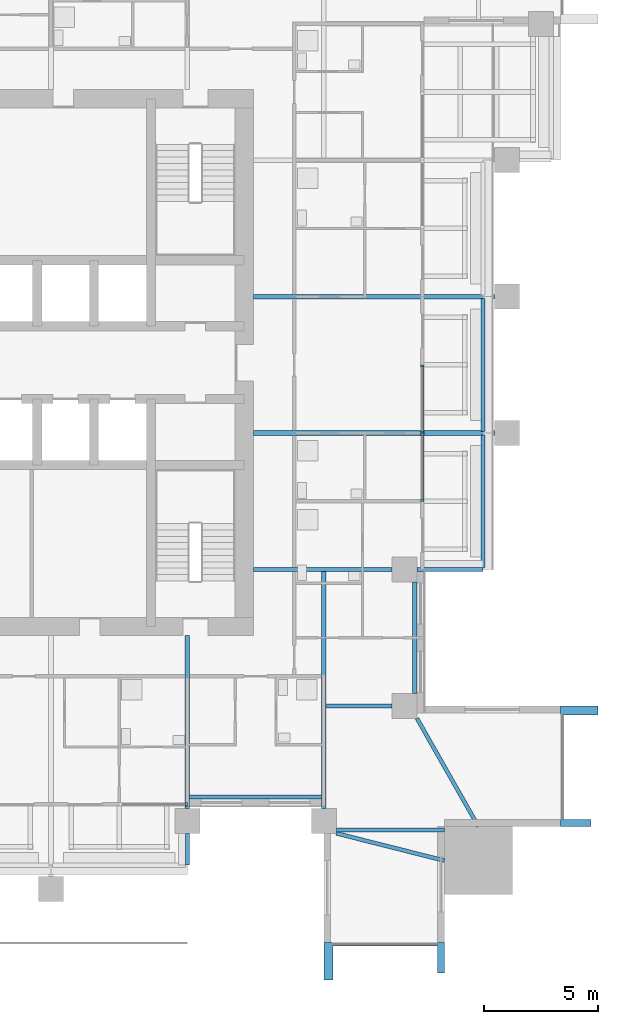
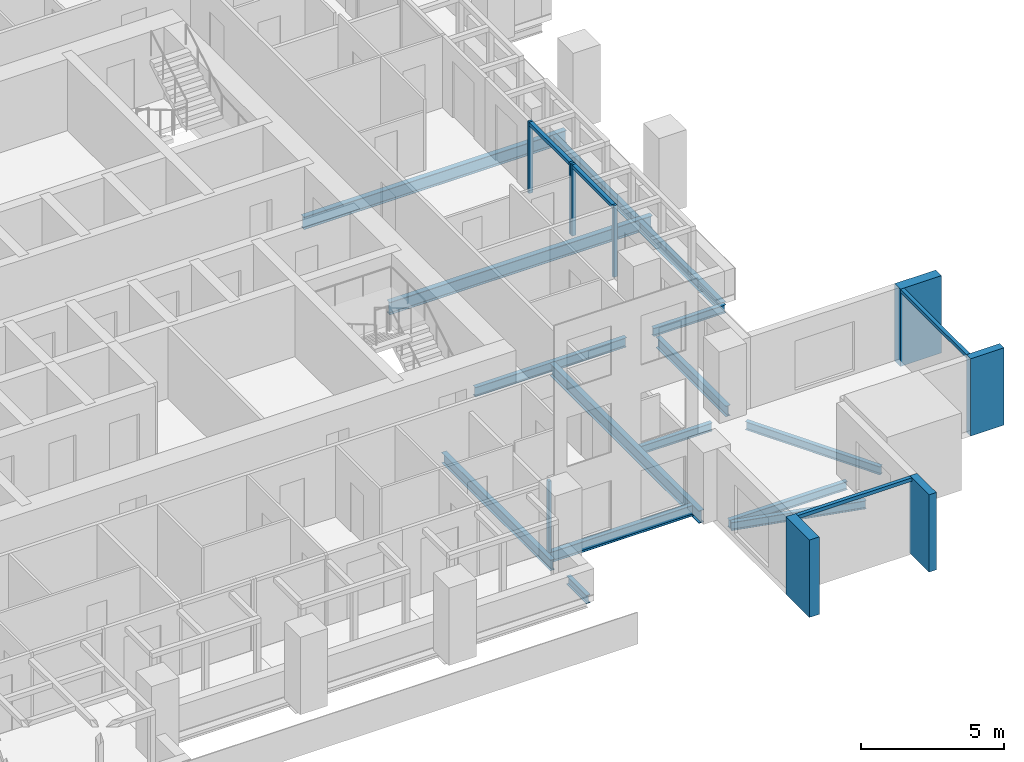
# One storey, part 3 of 16: 15 beams, 13 members, 5 elements without a shape of their own.
"""IFC4 building model written with IfcOpenShell, lengths in metres."""

from ifc_helpers import new_model, si_unit, direction, frame, origin, origin_2d, place, context, subcontext, project, spatial, rectangle, i_section, extrude, material, material_profile, profile_set, type_object, element, aggregate, save


model = new_model("IFC4")

# Units and contexts
model_context = context("Model", 3, precision=1e-05, world=origin(), true_north=direction((0.0, 1.0)))
body_context = subcontext(model_context, "Body", "Model", "MODEL_VIEW")
ifc_project = project(units=[si_unit("LENGTHUNIT", "METRE"), si_unit("AREAUNIT", "SQUARE_METRE"), si_unit("VOLUMEUNIT", "CUBIC_METRE"), si_unit("PLANEANGLEUNIT", "RADIAN"), si_unit("MASSUNIT", "GRAM", prefix="KILO")], contexts=[model_context])

# Site, building, storey
site_placement = place(None, origin())
site = spatial("IfcSite", under=ifc_project, at=site_placement, CompositionType="ELEMENT")
building_placement = place(site_placement, origin())
building = spatial("IfcBuilding", under=site, at=building_placement, Name="Amberfall Residences", CompositionType="ELEMENT")
storey_placement = place(building_placement, frame((0.0, 0.0, 108.39990234375)))
storey = spatial("IfcBuildingStorey", under=building, at=storey_placement, Name="L29", CompositionType="ELEMENT", Elevation=108.39990234375)

# Curtain wall, member
ifc_material_1 = material(Name="Bronze anodised aluminium and glass", Category="aluminium")
curtain_wall_type_1 = type_object("IfcCurtainWallType", Name="Curtain wall CW1 tower unit", PredefinedType="USERDEFINED", material=ifc_material_1)
curtain_wall_1_placement = place(storey_placement, origin())
curtain_wall_1 = element("IfcCurtainWall", 1, at=curtain_wall_1_placement, inside=storey, type_object=curtain_wall_type_1, Name="Curtain wall L29 S S9", ObjectType="UNITISED CURTAIN WALL", PredefinedType="USERDEFINED")
ifc_material_2 = material(Name="Bronze anodised aluminium", Category="aluminium")
ifc_material_profile_1 = material_profile(ifc_material_2, rectangle(XDim=0.14990234375, YDim=0.14990234375, at=origin_2d()), Name="CW1 transom 150 x 150 bronze")
ifc_profile_set_1 = profile_set([ifc_material_profile_1], Name="Bronze anodised aluminium")
member_type_1 = type_object("IfcMemberType", Name="CW1 transom 150 x 150 bronze", PredefinedType="USERDEFINED", material=ifc_profile_set_1)
member_1_placement = place(storey_placement, frame((90.0, 19.925048828125, 2.97509765625), z_axis=(1.0, 0.0, 0.0), x_axis=(0.0, 1.0, 0.0)))
member_1 = element("IfcMember", 2, at=member_1_placement, type_object=member_type_1, Name="CW1 transom 1.1", ObjectType="TRANSOM", PredefinedType="USERDEFINED", context=body_context, shape_type="SweptSolid", body=[
    extrude(rectangle(XDim=0.14990234375, YDim=0.14990234375, at=origin_2d()), origin(), (0.0, 0.0, 1.0), 4.60009765625),
])

curtain_wall_2_placement = place(storey_placement, origin())
curtain_wall_2 = element("IfcCurtainWall", 3, at=curtain_wall_2_placement, inside=storey, type_object=curtain_wall_type_1, Name="Curtain wall L29 E E1", ObjectType="UNITISED CURTAIN WALL", PredefinedType="USERDEFINED")
member_2_placement = place(storey_placement, frame((100.074951171875, 25.39990234375, 2.97509765625), z_axis=(0.0, 1.0, 0.0), x_axis=(-1.0, 0.0, 0.0)))
member_2 = element("IfcMember", 4, at=member_2_placement, type_object=member_type_1, Name="CW1 transom 1.1", ObjectType="TRANSOM", PredefinedType="USERDEFINED", context=body_context, shape_type="SweptSolid", body=[
    extrude(rectangle(XDim=0.14990234375, YDim=0.14990234375, at=origin_2d()), origin(), (0.0, 0.0, 1.0), 4.60009765625),
])

curtain_wall_type_2 = type_object("IfcCurtainWallType", Name="Curtain wall CW3 sky garden glazing", PredefinedType="USERDEFINED", material=ifc_material_1)
curtain_wall_3_placement = place(storey_placement, origin())
curtain_wall_3 = element("IfcCurtainWall", 5, at=curtain_wall_3_placement, inside=storey, type_object=curtain_wall_type_2, Name="Curtain wall L29 S S6", ObjectType="UNITISED CURTAIN WALL", PredefinedType="USERDEFINED")
ifc_material_profile_2 = material_profile(ifc_material_2, rectangle(XDim=0.14990234375, YDim=0.10009765625, at=origin_2d()), Name="CW3 mullion 100 x 150 bronze")
ifc_profile_set_2 = profile_set([ifc_material_profile_2], Name="Bronze anodised aluminium")
member_type_2 = type_object("IfcMemberType", Name="CW3 mullion 100 x 150 bronze", PredefinedType="MULLION", material=ifc_profile_set_2)
member_3_placement = place(storey_placement, frame((83.550048828125, 26.074951171875, 0.0), z_axis=(0.0, 0.0, 1.0), x_axis=(0.0, 1.0, 0.0)))
member_3 = element("IfcMember", 6, at=member_3_placement, type_object=member_type_2, Name="CW3 mullion 2", PredefinedType="MULLION", context=body_context, shape_type="SweptSolid", body=[
    extrude(rectangle(XDim=0.14990234375, YDim=0.10009765625, at=origin_2d()), origin(), (0.0, 0.0, 1.0), 3.050048828125),
])
aggregate(curtain_wall_3, [member_3])

# Curtain wall, members
curtain_wall_4_placement = place(storey_placement, origin())
curtain_wall_4 = element("IfcCurtainWall", 7, at=curtain_wall_4_placement, inside=storey, type_object=curtain_wall_type_2, Name="Curtain wall L29 E E4", ObjectType="UNITISED CURTAIN WALL", PredefinedType="USERDEFINED")
member_4_placement = place(storey_placement, frame((93.925048828125, 39.449951171875, 0.0), z_axis=(0.0, 0.0, 1.0), x_axis=(-1.0, 0.0, 0.0)))
member_4 = element("IfcMember", 8, at=member_4_placement, type_object=member_type_2, Name="CW3 mullion 1", PredefinedType="MULLION", context=body_context, shape_type="SweptSolid", body=[
    extrude(rectangle(XDim=0.14990234375, YDim=0.10009765625, at=origin_2d()), origin(), (0.0, 0.0, 1.0), 3.050048828125),
])
member_5_placement = place(storey_placement, frame((93.925048828125, 42.35009765625, 0.0), z_axis=(0.0, 0.0, 1.0), x_axis=(-1.0, 0.0, 0.0)))
member_5 = element("IfcMember", 9, at=member_5_placement, type_object=member_type_2, Name="CW3 mullion 2", PredefinedType="MULLION", context=body_context, shape_type="SweptSolid", body=[
    extrude(rectangle(XDim=0.14990234375, YDim=0.10009765625, at=origin_2d()), origin(), (0.0, 0.0, 1.0), 3.050048828125),
])

curtain_wall_5_placement = place(storey_placement, origin())
curtain_wall_5 = element("IfcCurtainWall", 10, at=curtain_wall_5_placement, inside=storey, type_object=curtain_wall_type_2, Name="Curtain wall L29 E E5", ObjectType="UNITISED CURTAIN WALL", PredefinedType="USERDEFINED")
member_6_placement = place(storey_placement, frame((93.925048828125, 42.449951171875, 0.0), z_axis=(0.0, 0.0, 1.0), x_axis=(-1.0, 0.0, 0.0)))
member_6 = element("IfcMember", 11, at=member_6_placement, type_object=member_type_2, Name="CW3 mullion 1", PredefinedType="MULLION", context=body_context, shape_type="SweptSolid", body=[
    extrude(rectangle(XDim=0.14990234375, YDim=0.10009765625, at=origin_2d()), origin(), (0.0, 0.0, 1.0), 3.050048828125),
])
member_7_placement = place(storey_placement, frame((93.925048828125, 45.35009765625, 0.0), z_axis=(0.0, 0.0, 1.0), x_axis=(-1.0, 0.0, 0.0)))
member_7 = element("IfcMember", 12, at=member_7_placement, type_object=member_type_2, Name="CW3 mullion 2", PredefinedType="MULLION", context=body_context, shape_type="SweptSolid", body=[
    extrude(rectangle(XDim=0.14990234375, YDim=0.10009765625, at=origin_2d()), origin(), (0.0, 0.0, 1.0), 3.050048828125),
])

# Member
ifc_material_profile_3 = material_profile(ifc_material_2, rectangle(XDim=0.14990234375, YDim=0.14990234375, at=origin_2d()), Name="CW3 transom 150 x 150 bronze")
ifc_profile_set_3 = profile_set([ifc_material_profile_3], Name="Bronze anodised aluminium")
member_type_3 = type_object("IfcMemberType", Name="CW3 transom 150 x 150 bronze", PredefinedType="USERDEFINED", material=ifc_profile_set_3)
member_8_placement = place(storey_placement, frame((93.925048828125, 39.5, 2.97509765625), z_axis=(0.0, 1.0, 0.0), x_axis=(-1.0, 0.0, 0.0)))
member_8 = element("IfcMember", 13, at=member_8_placement, type_object=member_type_3, Name="CW3 transom 1.1", ObjectType="TRANSOM", PredefinedType="USERDEFINED", context=body_context, shape_type="SweptSolid", body=[
    extrude(rectangle(XDim=0.14990234375, YDim=0.14990234375, at=origin_2d()), origin(), (0.0, 0.0, 1.0), 2.800048828125),
])

aggregate(curtain_wall_4, [member_4, member_5, member_8])

member_9_placement = place(storey_placement, frame((93.925048828125, 42.5, 2.97509765625), z_axis=(0.0, 1.0, 0.0), x_axis=(-1.0, 0.0, 0.0)))
member_9 = element("IfcMember", 14, at=member_9_placement, type_object=member_type_3, Name="CW3 transom 1.1", ObjectType="TRANSOM", PredefinedType="USERDEFINED", context=body_context, shape_type="SweptSolid", body=[
    extrude(rectangle(XDim=0.14990234375, YDim=0.14990234375, at=origin_2d()), origin(), (0.0, 0.0, 1.0), 2.800048828125),
])

aggregate(curtain_wall_5, [member_6, member_7, member_9])

# Beams
ifc_material_3 = material(Name="Steel S355", Category="steel")
ifc_material_profile_4 = material_profile(ifc_material_3, i_section(OverallWidth=0.171142578125, OverallDepth=0.351318359375, WebThickness=0.007080078125, FlangeThickness=0.009765625, FilletRadius=0.01025390625, at=origin_2d()), Name="UB 356x171x45")
ifc_profile_set_4 = profile_set([ifc_material_profile_4], Name="Steel S355")
beam_type_1 = type_object("IfcBeamType", Name="Cantilever girder UB 356x171x45", PredefinedType="BEAM", material=ifc_profile_set_4)
beam_1_placement = place(storey_placement, frame((83.60009765625, 24.800048828125, -0.425537109375), z_axis=(0.0, -1.0, 0.0), x_axis=(1.0, 0.0, 0.0)))
element("IfcBeam", 15, at=beam_1_placement, inside=storey, type_object=beam_type_1, Name="Cantilever girder B8 L29 07", PredefinedType="BEAM", context=body_context, shape_type="SweptSolid", body=[
    extrude(i_section(OverallWidth=0.171142578125, OverallDepth=0.351318359375, WebThickness=0.007080078125, FlangeThickness=0.009765625, FilletRadius=0.01025390625, at=origin_2d()), origin(), (0.0, 0.0, 1.0), 1.400146484375),
])
beam_2_placement = place(storey_placement, frame((93.699951171875, 36.39990234375, -0.425537109375), z_axis=(1.0, 0.0, 0.0), x_axis=(0.0, 1.0, 0.0)))
element("IfcBeam", 16, at=beam_2_placement, inside=storey, type_object=beam_type_1, Name="Cantilever girder B8 L29 19", PredefinedType="BEAM", context=body_context, shape_type="SweptSolid", body=[
    extrude(i_section(OverallWidth=0.171142578125, OverallDepth=0.351318359375, WebThickness=0.007080078125, FlangeThickness=0.009765625, FilletRadius=0.01025390625, at=origin_2d()), origin(), (0.0, 0.0, 1.0), 2.900146484375),
])

# Member
ifc_material_profile_5 = material_profile(ifc_material_2, rectangle(XDim=1.35009765625, YDim=0.300048828125, at=origin_2d()), Name="Corner fin 300 x 1350 bronze")
ifc_profile_set_5 = profile_set([ifc_material_profile_5], Name="Bronze anodised aluminium")
member_type_4 = type_object("IfcMemberType", Name="Corner fin 300 x 1350 bronze", PredefinedType="MULLION", material=ifc_profile_set_5)
member_10_placement = place(storey_placement, frame((94.75, 19.324951171875, -0.25), z_axis=(0.0, 0.0, 1.0), x_axis=(0.0, 1.0, 0.0)))
member_10 = element("IfcMember", 17, at=member_10_placement, type_object=member_type_4, Name="CW FIN 2", PredefinedType="MULLION", context=body_context, shape_type="SweptSolid", body=[
    extrude(rectangle(XDim=1.35009765625, YDim=0.300048828125, at=origin_2d()), origin(), (0.0, 0.0, 1.0), 3.300048828125),
])

member_11_placement = place(storey_placement, frame((100.675048828125, 25.25, -0.25), z_axis=(0.0, 0.0, 1.0), x_axis=(-1.0, 0.0, 0.0)))
member_11 = element("IfcMember", 18, at=member_11_placement, type_object=member_type_4, Name="CW FIN 1", PredefinedType="MULLION", context=body_context, shape_type="SweptSolid", body=[
    extrude(rectangle(XDim=1.35009765625, YDim=0.300048828125, at=origin_2d()), origin(), (0.0, 0.0, 1.0), 3.300048828125),
])

# Beams
ifc_material_profile_6 = material_profile(ifc_material_3, i_section(OverallWidth=0.18994140625, OverallDepth=0.453369140625, WebThickness=0.008544921875, FlangeThickness=0.0126953125, FilletRadius=0.01025390625, at=origin_2d()), Name="UB 457x191x67")
ifc_profile_set_6 = profile_set([ifc_material_profile_6], Name="Steel S355")
beam_type_2 = type_object("IfcBeamType", Name="Edge beam UB 457x191x67", PredefinedType="SPANDREL", material=ifc_profile_set_6)
beam_3_placement = place(storey_placement, frame((83.679931640625, 26.39990234375, -0.4765625), z_axis=(1.0, 0.0, 0.0), x_axis=(0.0, 1.0, 0.0)))
element("IfcBeam", 19, at=beam_3_placement, inside=storey, type_object=beam_type_2, Name="Edge beam B1 L29 05", PredefinedType="SPANDREL", context=body_context, shape_type="SweptSolid", body=[
    extrude(i_section(OverallWidth=0.18994140625, OverallDepth=0.453369140625, WebThickness=0.008544921875, FlangeThickness=0.0126953125, FilletRadius=0.01025390625, at=origin_2d()), origin(), (0.0, 0.0, 1.0), 5.840087890625),
])
beam_4_placement = place(storey_placement, frame((93.60009765625, 30.949951171875, -0.4765625), z_axis=(0.0, 1.0, 0.0), x_axis=(-1.0, 0.0, 0.0)))
element("IfcBeam", 20, at=beam_4_placement, inside=storey, type_object=beam_type_2, Name="Edge beam B1 L29 14", PredefinedType="SPANDREL", context=body_context, shape_type="SweptSolid", body=[
    extrude(i_section(OverallWidth=0.18994140625, OverallDepth=0.453369140625, WebThickness=0.008544921875, FlangeThickness=0.0126953125, FilletRadius=0.01025390625, at=origin_2d()), origin(), (0.0, 0.0, 1.0), 4.900146484375),
])
for number, where, z_axis, x_axis, name in (
    (21, (96.60009765625, 36.47998046875, -0.4765625), (0.0, 1.0, 0.0), (-1.0, 0.0, 0.0), "Edge beam B1 L29 15"),
    (22, (96.60009765625, 42.47998046875, -0.4765625), (0.0, 1.0, 0.0), (-1.0, 0.0, 0.0), "Edge beam B1 L29 16"),
):
    element("IfcBeam", number, at=place(storey_placement, frame(where, z_axis=z_axis, x_axis=x_axis)), inside=storey, type_object=beam_type_2, Name=name, PredefinedType="SPANDREL", context=body_context, shape_type="SweptSolid", body=[
        extrude(i_section(OverallWidth=0.18994140625, OverallDepth=0.453369140625, WebThickness=0.008544921875, FlangeThickness=0.0126953125, FilletRadius=0.01025390625, at=origin_2d()), origin(), (0.0, 0.0, 1.0), 5.840087890625),
    ])

# Member
ifc_material_profile_7 = material_profile(ifc_material_2, rectangle(XDim=1.64990234375, YDim=0.39990234375, at=origin_2d()), Name="Fin 400 x 1650 bronze")
ifc_profile_set_7 = profile_set([ifc_material_profile_7], Name="Bronze anodised aluminium")
member_type_5 = type_object("IfcMemberType", Name="Fin 400 x 1650 bronze", PredefinedType="MULLION", material=ifc_profile_set_7)
member_12_placement = place(storey_placement, frame((89.800048828125, 19.175048828125, -0.25), z_axis=(0.0, 0.0, 1.0), x_axis=(0.0, 1.0, 0.0)))
member_12 = element("IfcMember", 23, at=member_12_placement, type_object=member_type_5, Name="CW FIN 1", PredefinedType="MULLION", context=body_context, shape_type="SweptSolid", body=[
    extrude(rectangle(XDim=1.64990234375, YDim=0.39990234375, at=origin_2d()), origin(), (0.0, 0.0, 1.0), 3.300048828125),
])

aggregate(curtain_wall_1, [member_12, member_10, member_1])

member_13_placement = place(storey_placement, frame((100.824951171875, 30.199951171875, -0.25), z_axis=(0.0, 0.0, 1.0), x_axis=(-1.0, 0.0, 0.0)))
member_13 = element("IfcMember", 24, at=member_13_placement, type_object=member_type_5, Name="CW FIN 2", PredefinedType="MULLION", context=body_context, shape_type="SweptSolid", body=[
    extrude(rectangle(XDim=1.64990234375, YDim=0.39990234375, at=origin_2d()), origin(), (0.0, 0.0, 1.0), 3.300048828125),
])

aggregate(curtain_wall_2, [member_11, member_13, member_2])

# Beams
ifc_material_profile_8 = material_profile(ifc_material_3, i_section(OverallWidth=0.171142578125, OverallDepth=0.351318359375, WebThickness=0.007080078125, FlangeThickness=0.009765625, FilletRadius=0.01025390625, at=origin_2d()), Name="UB 356x171x45")
ifc_profile_set_8 = profile_set([ifc_material_profile_8], Name="Steel S355")
beam_type_3 = type_object("IfcBeamType", Name="Floor girder UB 356x171x45", PredefinedType="BEAM", material=ifc_profile_set_8)
beam_5_placement = place(storey_placement, frame((92.60009765625, 30.39990234375, -0.425537109375), z_axis=(-1.0, 0.0, 0.0), x_axis=(0.0, -1.0, 0.0)))
element("IfcBeam", 25, at=beam_5_placement, inside=storey, type_object=beam_type_3, Name="Floor girder B11 L29 21", PredefinedType="BEAM", context=body_context, shape_type="SweptSolid", body=[
    extrude(i_section(OverallWidth=0.171142578125, OverallDepth=0.351318359375, WebThickness=0.007080078125, FlangeThickness=0.009765625, FilletRadius=0.01025390625, at=origin_2d()), origin(), (0.0, 0.0, 1.0), 2.880126953125),
])
ifc_material_profile_9 = material_profile(ifc_material_3, i_section(OverallWidth=0.177734375, OverallDepth=0.402587890625, WebThickness=0.0078125, FlangeThickness=0.010986328125, FilletRadius=0.01025390625, at=origin_2d()), Name="UB 406x178x54")
ifc_profile_set_9 = profile_set([ifc_material_profile_9], Name="Steel S355")
beam_type_4 = type_object("IfcBeamType", Name="Floor girder UB 406x178x54", PredefinedType="BEAM", material=ifc_profile_set_9)
beam_6_placement = place(storey_placement, frame((92.60009765625, 36.39990234375, -0.451171875), z_axis=(-1.0, 0.0, 0.0), x_axis=(0.0, -1.0, 0.0)))
element("IfcBeam", 26, at=beam_6_placement, inside=storey, type_object=beam_type_4, Name="Floor girder B4 L29 22", PredefinedType="BEAM", context=body_context, shape_type="SweptSolid", body=[
    extrude(i_section(OverallWidth=0.177734375, OverallDepth=0.402587890625, WebThickness=0.0078125, FlangeThickness=0.010986328125, FilletRadius=0.01025390625, at=origin_2d()), origin(), (0.0, 0.0, 1.0), 6.10009765625),
])
ifc_material_profile_10 = material_profile(ifc_material_3, i_section(OverallWidth=0.19140625, OverallDepth=0.4599609375, WebThickness=0.010009765625, FlangeThickness=0.01611328125, FilletRadius=0.01025390625, at=origin_2d()), Name="UB 457x191x82")
ifc_profile_set_10 = profile_set([ifc_material_profile_10], Name="Steel S355")
beam_type_5 = type_object("IfcBeamType", Name="Floor girder UB 457x191x82", PredefinedType="BEAM", material=ifc_profile_set_10)
beam_7_placement = place(storey_placement, frame((83.60009765625, 25.89990234375, -0.47998046875), z_axis=(0.0, 1.0, 0.0), x_axis=(-1.0, 0.0, 0.0)))
element("IfcBeam", 27, at=beam_7_placement, inside=storey, type_object=beam_type_5, Name="Floor girder B10 L29 12", PredefinedType="BEAM", context=body_context, shape_type="SweptSolid", body=[
    extrude(i_section(OverallWidth=0.19140625, OverallDepth=0.4599609375, WebThickness=0.010009765625, FlangeThickness=0.01611328125, FilletRadius=0.01025390625, at=origin_2d()), origin(), (0.0, 0.0, 1.0), 7.60009765625),
])
ifc_material_profile_11 = material_profile(ifc_material_3, i_section(OverallWidth=0.209228515625, OverallDepth=0.533203125, WebThickness=0.010009765625, FlangeThickness=0.015625, FilletRadius=0.0126953125, at=origin_2d()), Name="UB 533x210x92")
ifc_profile_set_11 = profile_set([ifc_material_profile_11], Name="Steel S355")
beam_type_6 = type_object("IfcBeamType", Name="Floor girder UB 533x210x92", PredefinedType="BEAM", material=ifc_profile_set_11)
beam_8_placement = place(storey_placement, frame((89.60009765625, 25.89990234375, -0.516357421875), z_axis=(0.0, 1.0, 0.0), x_axis=(-1.0, 0.0, 0.0)))
element("IfcBeam", 28, at=beam_8_placement, inside=storey, type_object=beam_type_6, Name="Floor girder B3 L29 13", PredefinedType="BEAM", context=body_context, shape_type="SweptSolid", body=[
    extrude(i_section(OverallWidth=0.209228515625, OverallDepth=0.533203125, WebThickness=0.010009765625, FlangeThickness=0.015625, FilletRadius=0.0126953125, at=origin_2d()), origin(), (0.0, 0.0, 1.0), 10.416259765625),
])
for number, where, z_axis, x_axis, name in (
    (29, (97.10009765625, 42.39990234375, -0.516357421875), (-1.0, 0.0, 0.0), (0.0, -1.0, 0.0), "Floor girder B3 L29 23"),
    (30, (97.10009765625, 48.39990234375, -0.516357421875), (-1.0, 0.0, 0.0), (0.0, -1.0, 0.0), "Floor girder B3 L29 24"),
):
    element("IfcBeam", number, at=place(storey_placement, frame(where, z_axis=z_axis, x_axis=x_axis)), inside=storey, type_object=beam_type_6, Name=name, PredefinedType="BEAM", context=body_context, shape_type="SweptSolid", body=[
        extrude(i_section(OverallWidth=0.209228515625, OverallDepth=0.533203125, WebThickness=0.010009765625, FlangeThickness=0.015625, FilletRadius=0.0126953125, at=origin_2d()), origin(), (0.0, 0.0, 1.0), 10.60009765625),
    ])
ifc_material_profile_12 = material_profile(ifc_material_3, i_section(OverallWidth=0.171142578125, OverallDepth=0.351318359375, WebThickness=0.007080078125, FlangeThickness=0.009765625, FilletRadius=0.01025390625, at=origin_2d()), Name="UB 356x171x45")
ifc_profile_set_12 = profile_set([ifc_material_profile_12], Name="Steel S355")
beam_type_7 = type_object("IfcBeamType", Name="Link beam UB 356x171x45", PredefinedType="BEAM", material=ifc_profile_set_12)
beam_9_placement = place(storey_placement, frame((90.14990234375, 24.949951171875, -0.425537109375), z_axis=(1.0, 0.0, 0.0), x_axis=(0.0, 1.0, 0.0)))
element("IfcBeam", 31, at=beam_9_placement, inside=storey, type_object=beam_type_7, Name="Link beam B7 L29 49", PredefinedType="BEAM", context=body_context, shape_type="SweptSolid", body=[
    extrude(i_section(OverallWidth=0.171142578125, OverallDepth=0.351318359375, WebThickness=0.007080078125, FlangeThickness=0.009765625, FilletRadius=0.01025390625, at=origin_2d()), origin(), (0.0, 0.0, 1.0), 4.75),
])
beam_10_placement = place(storey_placement, frame((94.89990234375, 23.60009765625, -0.425537109375), z_axis=(-0.969541561087, 0.244926848928, 0.0), x_axis=(-0.244926848928, -0.969541561087, 0.0)))
element("IfcBeam", 32, at=beam_10_placement, inside=storey, type_object=beam_type_7, Name="Link beam B7 L29 52", PredefinedType="BEAM", context=body_context, shape_type="SweptSolid", body=[
    extrude(i_section(OverallWidth=0.171142578125, OverallDepth=0.351318359375, WebThickness=0.007080078125, FlangeThickness=0.009765625, FilletRadius=0.01025390625, at=origin_2d()), origin(), (0.0, 0.0, 1.0), 4.899169921875),
])
beam_11_placement = place(storey_placement, frame((96.39990234375, 25.10009765625, -0.425537109375), z_axis=(-0.494159870511, 0.869371049884, 0.0), x_axis=(-0.869371049884, -0.494159870511, 0.0)))
element("IfcBeam", 33, at=beam_11_placement, inside=storey, type_object=beam_type_7, Name="Link beam B7 L29 53", PredefinedType="BEAM", context=body_context, shape_type="SweptSolid", body=[
    extrude(i_section(OverallWidth=0.171142578125, OverallDepth=0.351318359375, WebThickness=0.007080078125, FlangeThickness=0.009765625, FilletRadius=0.01025390625, at=origin_2d()), origin(), (0.0, 0.0, 1.0), 5.463623046875),
])

save(model, "model.ifc")
